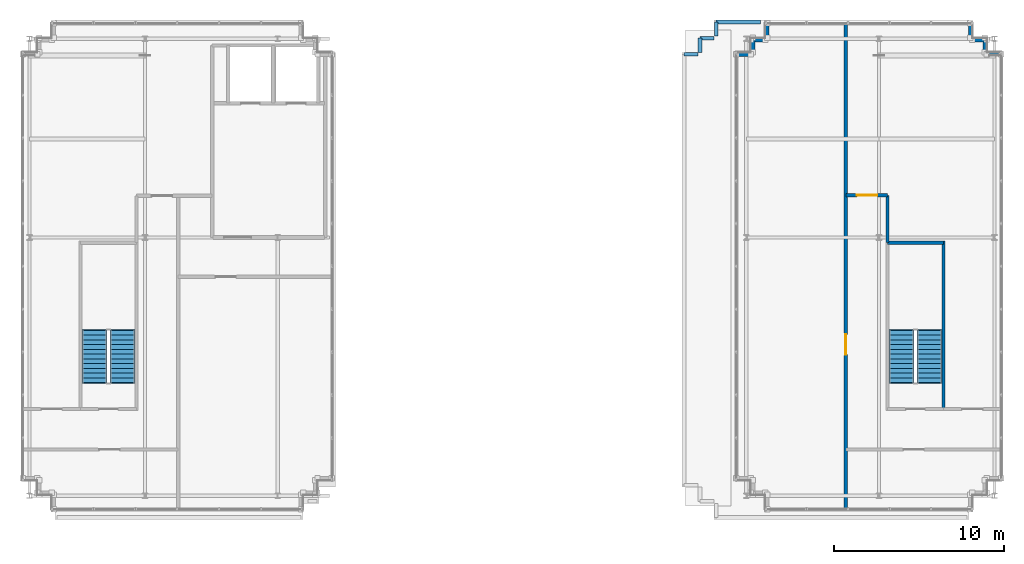
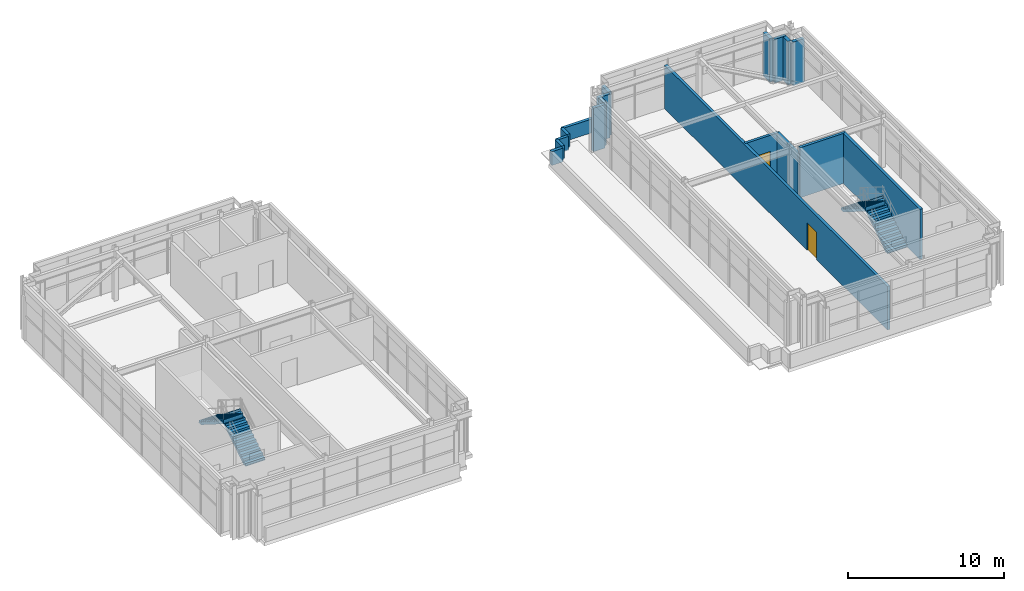
# One storey, part 22 of 25: 18 walls, 4 stair flights, 2 doors, 2 openings, 2 elements without a shape of their own.
"""IFC4 building model written with IfcOpenShell, lengths in metres."""

from ifc_helpers import new_model, si_unit, direction, frame, frame_2d, origin, place, context, subcontext, project, spatial, polyline, rectangle, outline, extrude, source, transform, mapped, material, layer, layer_set, type_object, element, fill, aggregate, save


model = new_model("IFC4")

# Units and contexts
model_context = context("Model", 3, precision=1e-05, world=origin(), true_north=direction((0.0, 1.0)))
body_context = subcontext(model_context, "Body", "Model", "MODEL_VIEW")
ifc_project = project(units=[si_unit("LENGTHUNIT", "METRE"), si_unit("AREAUNIT", "SQUARE_METRE"), si_unit("VOLUMEUNIT", "CUBIC_METRE"), si_unit("PLANEANGLEUNIT", "RADIAN"), si_unit("MASSUNIT", "GRAM", prefix="KILO")], contexts=[model_context])

# Site, building, storey
site_placement = place(None, origin())
site = spatial("IfcSite", under=ifc_project, at=site_placement, CompositionType="ELEMENT")
building_placement = place(site_placement, origin())
building = spatial("IfcBuilding", under=site, at=building_placement, Name="Trelvane Seafront Commons", CompositionType="ELEMENT")
storey_placement = place(building_placement, frame((0.0, 0.0, 316.699951171875)))
storey = spatial("IfcBuildingStorey", under=building, at=storey_placement, Name="L82", CompositionType="ELEMENT", Elevation=316.699951171875)

# Walls
ifc_material_1 = material(Name="Precast concrete C40/50", Category="concrete")
ifc_layer_1 = layer(ifc_material_1, 0.239990234375, Name="ARCH-WALL-EXT240")
ifc_layer_set_1 = layer_set([ifc_layer_1], Name="Precast concrete C40/50")
wall_type_1 = type_object("IfcWallType", Name="ARCH-WALL-EXT240", PredefinedType="SOLIDWALL", material=ifc_layer_set_1)
wall_1_placement = place(storey_placement, frame((50.39990234375, 44.179931640625, 0.0), z_axis=(0.0, 0.0, 1.0), x_axis=(1.0, 0.0, 0.0)))
element("IfcWall", 1, at=wall_1_placement, inside=storey, type_object=wall_type_1, Name="EW-L82-CRN-01765", PredefinedType="SOLIDWALL", context=body_context, shape_type="SweptSolid", body=[
    extrude(rectangle(XDim=0.85009765625, YDim=0.239990234375, at=frame_2d((0.425048828125, 0.0))), origin(), (0.0, 0.0, 1.0), 3.41015625),
])
wall_2_placement = place(storey_placement, frame((51.3701171875, 44.300048828125, 0.0), z_axis=(0.0, 0.0, 1.0), x_axis=(0.0, 1.0, 0.0)))
element("IfcWall", 2, at=wall_2_placement, inside=storey, type_object=wall_type_1, Name="EW-L82-CRN-01766", PredefinedType="SOLIDWALL", context=body_context, shape_type="SweptSolid", body=[
    extrude(rectangle(XDim=0.849853515625, YDim=0.239990234375, at=frame_2d((0.4248046875, 0.0))), origin(), (0.0, 0.0, 1.0), 3.41015625),
])
for number, where, z_axis, x_axis, name in (
    (3, (51.25, 45.030029296875, 0.0), (0.0, 0.0, 1.0), (1.0, 0.0, 0.0), "EW-L82-CRN-01767"),
    (4, (52.219970703125, 45.14990234375, 0.0), (0.0, 0.0, 1.0), (0.0, 1.0, 0.0), "EW-L82-CRN-01768"),
    (5, (64.179931640625, 46.0, 0.0), (0.0, 0.0, 1.0), (0.0, -1.0, 0.0), "EW-L82-CRN-01769"),
):
    element("IfcWall", number, at=place(storey_placement, frame(where, z_axis=z_axis, x_axis=x_axis)), inside=storey, type_object=wall_type_1, Name=name, PredefinedType="SOLIDWALL", context=body_context, shape_type="SweptSolid", body=[
        extrude(rectangle(XDim=0.85009765625, YDim=0.239990234375, at=frame_2d((0.425048828125, 0.0))), origin(), (0.0, 0.0, 1.0), 3.41015625),
    ])
for number, where, z_axis, x_axis, name in (
    (6, (64.300048828125, 45.030029296875, 0.0), (0.0, 0.0, 1.0), (1.0, 0.0, 0.0), "EW-L82-CRN-01770"),
    (7, (65.030029296875, 45.14990234375, 0.0), (0.0, 0.0, 1.0), (0.0, -1.0, 0.0), "EW-L82-CRN-01771"),
):
    element("IfcWall", number, at=place(storey_placement, frame(where, z_axis=z_axis, x_axis=x_axis)), inside=storey, type_object=wall_type_1, Name=name, PredefinedType="SOLIDWALL", context=body_context, shape_type="SweptSolid", body=[
        extrude(rectangle(XDim=0.849853515625, YDim=0.239990234375, at=frame_2d((0.4248046875, 0.0))), origin(), (0.0, 0.0, 1.0), 3.41015625),
    ])
wall_3_placement = place(storey_placement, frame((65.14990234375, 44.179931640625, 0.0), z_axis=(0.0, 0.0, 1.0), x_axis=(1.0, 0.0, 0.0)))
element("IfcWall", 8, at=wall_3_placement, inside=storey, type_object=wall_type_1, Name="EW-L82-CRN-01772", PredefinedType="SOLIDWALL", context=body_context, shape_type="SweptSolid", body=[
    extrude(rectangle(XDim=0.85009765625, YDim=0.239990234375, at=frame_2d((0.425048828125, 0.0))), origin(), (0.0, 0.0, 1.0), 3.41015625),
])

# Wall, opening, door
ifc_material_2 = material(Name="Concrete C40/50", Category="concrete")
ifc_layer_2 = layer(ifc_material_2, 0.199951171875, Name="ARCH-WALL-FIRE200")
ifc_layer_set_2 = layer_set([ifc_layer_2], Name="Concrete C40/50")
wall_type_2 = type_object("IfcWallType", Name="ARCH-WALL-FIRE200", PredefinedType="PARTITIONING", material=ifc_layer_set_2)
wall_4_placement = place(storey_placement, frame((56.85009765625, 17.409912109375, 0.0), z_axis=(0.0, 0.0, 1.0), x_axis=(0.0, 1.0, 0.0)))
wall_4 = element("IfcWall", 9, at=wall_4_placement, inside=storey, type_object=wall_type_2, Name="W-L82-CRNE-W-023", PredefinedType="PARTITIONING", context=body_context, shape_type="SweptSolid", body=[
    extrude(rectangle(XDim=28.580078125, YDim=0.199951171875, at=frame_2d((14.2900390625, 0.0))), origin(), (0.0, 0.0, 1.0), 3.41015625),
])
opening_1_placement = place(wall_4_placement, frame((9.090087890625, 0.0, 0.0)))
opening_1 = element("IfcOpeningElement", 10, at=opening_1_placement, cuts=wall_4, Name="Opening FD-L82-10", PredefinedType="OPENING", context=body_context, shape_type="SweptSolid", body=[
    extrude(rectangle(XDim=1.199951171875, YDim=2.14990234375, at=frame_2d((0.60009765625, 1.074951171875))), frame((0.0, 0.10986328125, 0.0), z_axis=(0.0, -1.0, 0.0), x_axis=(1.0, 0.0, 0.0)), (0.0, 0.0, 1.0), 0.219970703125),
])
ifc_material_3 = material(Name="Powder-coated aluminium frame", Category="aluminium")
door_type = type_object("IfcDoorType", Name="ARCH-DR-FD60-1200", OperationType="NOTDEFINED", PredefinedType="DOOR", material=ifc_material_3)
shared_shape_1 = source(origin(), body_context, "Body", "SweptSolid", [
    extrude(rectangle(XDim=1.199951171875, YDim=2.14990234375, at=frame_2d((0.60009765625, 1.074951171875))), frame((0.0, 0.02490234375, 0.0), z_axis=(0.0, -1.0, 0.0), x_axis=(1.0, 0.0, 0.0)), (0.0, 0.0, 1.0), 0.050048828125),
])
door_1_placement = place(opening_1_placement, origin())
door_1 = element("IfcDoor", 11, at=door_1_placement, inside=storey, type_object=door_type, Name="L82 Break Tank Room Door", OperationType="SINGLE_SWING_RIGHT", OverallHeight=2.14990234375, OverallWidth=1.199951171875, PredefinedType="DOOR", context=body_context, shape_type="MappedRepresentation", body=[
    mapped(shared_shape_1, transform((0.0, 0.0, 0.0), x_axis=(1.0, 0.0, 0.0), y_axis=(0.0, 1.0, 0.0), z_axis=(0.0, 0.0, 1.0), scale=1.0)),
])
fill(opening_1, door_1)

wall_5_placement = place(storey_placement, frame((56.85009765625, 35.8798828125, 0.0), z_axis=(0.0, 0.0, 1.0), x_axis=(1.0, 0.0, 0.0)))
wall_5 = element("IfcWall", 12, at=wall_5_placement, inside=storey, type_object=wall_type_2, Name="W-L82-CRNE-N-026", PredefinedType="PARTITIONING", context=body_context, shape_type="SweptSolid", body=[
    extrude(rectangle(XDim=2.449951171875, YDim=0.199951171875, at=frame_2d((1.22509765625, 0.0))), origin(), (0.0, 0.0, 1.0), 3.41015625),
])
opening_2_placement = place(wall_5_placement, frame((0.64990234375, 0.0, 0.0)))
opening_2 = element("IfcOpeningElement", 13, at=opening_2_placement, cuts=wall_5, Name="Opening FD-L82-13", PredefinedType="OPENING", context=body_context, shape_type="SweptSolid", body=[
    extrude(rectangle(XDim=1.199951171875, YDim=2.14990234375, at=frame_2d((0.60009765625, 1.074951171875))), frame((0.0, 0.10986328125, 0.0), z_axis=(0.0, -1.0, 0.0), x_axis=(1.0, 0.0, 0.0)), (0.0, 0.0, 1.0), 0.219970703125),
])
door_2_placement = place(opening_2_placement, origin())
door_2 = element("IfcDoor", 14, at=door_2_placement, inside=storey, type_object=door_type, Name="L82 BMS Fan Room Door", OperationType="SINGLE_SWING_LEFT", OverallHeight=2.14990234375, OverallWidth=1.199951171875, PredefinedType="DOOR", context=body_context, shape_type="MappedRepresentation", body=[
    mapped(shared_shape_1, transform((0.0, 0.0, 0.0), x_axis=(1.0, 0.0, 0.0), y_axis=(0.0, 1.0, 0.0), z_axis=(0.0, 0.0, 1.0), scale=1.0)),
])
fill(opening_2, door_2)

# Walls
wall_6_placement = place(storey_placement, frame((59.300048828125, 33.10009765625, 0.0), z_axis=(0.0, 0.0, 1.0), x_axis=(0.0, 1.0, 0.0)))
element("IfcWall", 15, at=wall_6_placement, inside=storey, type_object=wall_type_2, Name="W-L82-CRNE-SPE-027", PredefinedType="PARTITIONING", context=body_context, shape_type="SweptSolid", body=[
    extrude(rectangle(XDim=2.77978515625, YDim=0.199951171875, at=frame_2d((1.389892578125, 0.0))), origin(), (0.0, 0.0, 1.0), 3.41015625),
])
ifc_layer_3 = layer(ifc_material_1, 0.219970703125, Name="ARCH-WALL-PARAPET220")
ifc_layer_set_3 = layer_set([ifc_layer_3], Name="Precast concrete C40/50")
wall_type_3 = type_object("IfcWallType", Name="ARCH-WALL-PARAPET220", PredefinedType="PARAPET", material=ifc_layer_set_3)
for number, where, z_axis, x_axis, name in (
    (16, (47.320068359375, 44.179931640625, 0.0), (0.0, 0.0, 1.0), (1.0, 0.0, 0.0), "PAR-L82-1783"),
    (17, (48.27001953125, 44.300048828125, 0.0), (0.0, 0.0, 1.0), (0.0, 1.0, 0.0), "PAR-L82-1784"),
):
    element("IfcWall", number, at=place(storey_placement, frame(where, z_axis=z_axis, x_axis=x_axis)), inside=storey, type_object=wall_type_3, Name=name, PredefinedType="PARAPET", context=body_context, shape_type="SweptSolid", body=[
        extrude(rectangle(XDim=0.829833984375, YDim=0.219970703125, at=frame_2d((0.4150390625, 0.0))), origin(), (0.0, 0.0, 1.0), 1.080078125),
    ])
for number, where, z_axis, x_axis, name in (
    (18, (48.27001953125, 45.1298828125, 0.0), (0.0, 0.0, 1.0), (1.0, 0.0, 0.0), "PAR-L82-1785"),
    (19, (49.219970703125, 45.25, 0.0), (0.0, 0.0, 1.0), (0.0, 1.0, 0.0), "PAR-L82-1786"),
):
    element("IfcWall", number, at=place(storey_placement, frame(where, z_axis=z_axis, x_axis=x_axis)), inside=storey, type_object=wall_type_3, Name=name, PredefinedType="PARAPET", context=body_context, shape_type="SweptSolid", body=[
        extrude(rectangle(XDim=0.830078125, YDim=0.219970703125, at=frame_2d((0.4150390625, 0.0))), origin(), (0.0, 0.0, 1.0), 1.080078125),
    ])
wall_7_placement = place(storey_placement, frame((49.219970703125, 46.080078125, 0.0), z_axis=(0.0, 0.0, 1.0), x_axis=(1.0, 0.0, 0.0)))
element("IfcWall", 20, at=wall_7_placement, inside=storey, type_object=wall_type_3, Name="PAR-L82-1787", PredefinedType="PARAPET", context=body_context, shape_type="SweptSolid", body=[
    extrude(rectangle(XDim=2.61181640625, YDim=0.219970703125, at=frame_2d((1.305908203125, 0.0))), origin(), (0.0, 0.0, 1.0), 1.080078125),
])
ifc_material_4 = material(Name="Concrete C50/60", Category="concrete")
ifc_layer_4 = layer(ifc_material_4, 0.199951171875, Name="STR-WALL-STAIR200")
ifc_layer_set_4 = layer_set([ifc_layer_4], Name="Concrete C50/60")
wall_type_4 = type_object("IfcWallType", Name="STR-WALL-STAIR200", PredefinedType="SHEAR", material=ifc_layer_set_4)
wall_8_placement = place(storey_placement, frame((62.60009765625, 23.199951171875, 0.0), z_axis=(0.0, 0.0, 1.0), x_axis=(0.0, 1.0, 0.0)))
element("IfcWall", 21, at=wall_8_placement, inside=storey, type_object=wall_type_4, Name="W-L82-ST6-E-006", PredefinedType="SHEAR", context=body_context, shape_type="SweptSolid", body=[
    extrude(rectangle(XDim=10.0, YDim=0.199951171875, at=frame_2d((5.0, 0.0))), origin(), (0.0, 0.0, 1.0), 3.91015625),
])
wall_9_placement = place(storey_placement, frame((59.300048828125, 33.10009765625, 0.0), z_axis=(0.0, 0.0, 1.0), x_axis=(1.0, 0.0, 0.0)))
element("IfcWall", 22, at=wall_9_placement, inside=storey, type_object=wall_type_4, Name="W-L82-ST6-N-007", PredefinedType="SHEAR", context=body_context, shape_type="SweptSolid", body=[
    extrude(rectangle(XDim=3.300048828125, YDim=0.199951171875, at=frame_2d((1.64990234375, 0.0))), origin(), (0.0, 0.0, 1.0), 3.91015625),
])

# Stair, stair flights
stair_type_1 = type_object("IfcStairType", Name="ARCH-STR-ST-5-R24-175", PredefinedType="HALF_TURN_STAIR", material=ifc_material_2)
stair_1_placement = place(storey_placement, origin())
stair_1 = element("IfcStair", 23, at=stair_1_placement, inside=storey, type_object=stair_type_1, Name="L82 Crown West Peak Enclosed Maintenance Exit Stair ST-5", PredefinedType="HALF_TURN_STAIR")
stair_flight_type_1 = type_object("IfcStairFlightType", Name="ARCH-FLG-ST-5-R24-175", PredefinedType="STRAIGHT", material=ifc_material_2)
shared_shape_2 = source(origin(), body_context, "Body", "SweptSolid", [
    extrude(outline(polyline([(-0.050048828125, -0.02001953125), (-0.050048828125, 0.0), (0.0, 0.0), (0.0, 0.175048828125), (0.280029296875, 0.175048828125), (0.280029296875, 0.35009765625), (0.56005859375, 0.35009765625), (0.56005859375, 0.52490234375), (0.840087890625, 0.52490234375), (0.840087890625, 0.699951171875), (1.1201171875, 0.699951171875), (1.1201171875, 0.875), (1.39990234375, 0.875), (1.39990234375, 1.050048828125), (1.679931640625, 1.050048828125), (1.679931640625, 1.22509765625), (1.9599609375, 1.22509765625), (1.9599609375, 1.39990234375), (2.239990234375, 1.39990234375), (2.239990234375, 1.574951171875), (2.52001953125, 1.574951171875), (2.52001953125, 1.75), (2.800048828125, 1.75), (2.800048828125, 1.925048828125), (3.080078125, 1.925048828125), (3.080078125, 2.10009765625), (3.1298828125, 2.10009765625), (3.1298828125, 1.9501953125), (3.080078125, 1.748291015625), (0.28271484375, -0.02001953125), (-0.050048828125, -0.02001953125)])), frame((0.0, 0.72509765625, 0.0), z_axis=(0.0, -1.0, 0.0), x_axis=(1.0, 0.0, 0.0)), (0.0, 0.0, 1.0), 1.449951171875),
])
stair_flight_1_placement = place(storey_placement, frame((14.27490234375, 24.85009765625, 0.0), z_axis=(0.0, 0.0, 1.0), x_axis=(0.0, 1.0, 0.0)))
stair_flight_1 = element("IfcStairFlight", 24, at=stair_flight_1_placement, type_object=stair_flight_type_1, Name="ST-5 flight 1", NumberOfRisers=12, NumberOfTreads=11, PredefinedType="STRAIGHT", RiserHeight=0.175, TreadLength=0.28, context=body_context, shape_type="MappedRepresentation", body=[
    mapped(shared_shape_2, transform((0.0, 0.0, 0.0), x_axis=(1.0, 0.0, 0.0), y_axis=(0.0, 1.0, 0.0), z_axis=(0.0, 0.0, 1.0), scale=1.0)),
])
stair_flight_2_placement = place(storey_placement, frame((12.625, 27.929931640625, 2.10009765625), z_axis=(0.0, 0.0, 1.0), x_axis=(0.0, -1.0, 0.0)))
stair_flight_2 = element("IfcStairFlight", 25, at=stair_flight_2_placement, type_object=stair_flight_type_1, Name="ST-5 flight 2", NumberOfRisers=12, NumberOfTreads=11, PredefinedType="STRAIGHT", RiserHeight=0.175, TreadLength=0.28, context=body_context, shape_type="MappedRepresentation", body=[
    mapped(shared_shape_2, transform((0.0, 0.0, 0.0), x_axis=(1.0, 0.0, 0.0), y_axis=(0.0, 1.0, 0.0), z_axis=(0.0, 0.0, 1.0), scale=1.0)),
])
aggregate(stair_1, [stair_flight_1, stair_flight_2])

stair_type_2 = type_object("IfcStairType", Name="ARCH-STR-ST-6-R24-175", PredefinedType="HALF_TURN_STAIR", material=ifc_material_2)
stair_2_placement = place(storey_placement, origin())
stair_2 = element("IfcStair", 26, at=stair_2_placement, inside=storey, type_object=stair_type_2, Name="L82 Crown East Peak Enclosed Maintenance Exit Stair ST-6", PredefinedType="HALF_TURN_STAIR")
stair_flight_type_2 = type_object("IfcStairFlightType", Name="ARCH-FLG-ST-6-R24-175", PredefinedType="STRAIGHT", material=ifc_material_2)
stair_flight_3_placement = place(storey_placement, frame((61.77490234375, 24.85009765625, 0.0), z_axis=(0.0, 0.0, 1.0), x_axis=(0.0, 1.0, 0.0)))
stair_flight_3 = element("IfcStairFlight", 27, at=stair_flight_3_placement, type_object=stair_flight_type_2, Name="ST-6 flight 1", NumberOfRisers=12, NumberOfTreads=11, PredefinedType="STRAIGHT", RiserHeight=0.175, TreadLength=0.28, context=body_context, shape_type="MappedRepresentation", body=[
    mapped(shared_shape_2, transform((0.0, 0.0, 0.0), x_axis=(1.0, 0.0, 0.0), y_axis=(0.0, 1.0, 0.0), z_axis=(0.0, 0.0, 1.0), scale=1.0)),
])
stair_flight_4_placement = place(storey_placement, frame((60.125, 27.929931640625, 2.10009765625), z_axis=(0.0, 0.0, 1.0), x_axis=(0.0, -1.0, 0.0)))
stair_flight_4 = element("IfcStairFlight", 28, at=stair_flight_4_placement, type_object=stair_flight_type_2, Name="ST-6 flight 2", NumberOfRisers=12, NumberOfTreads=11, PredefinedType="STRAIGHT", RiserHeight=0.175, TreadLength=0.28, context=body_context, shape_type="MappedRepresentation", body=[
    mapped(shared_shape_2, transform((0.0, 0.0, 0.0), x_axis=(1.0, 0.0, 0.0), y_axis=(0.0, 1.0, 0.0), z_axis=(0.0, 0.0, 1.0), scale=1.0)),
])
aggregate(stair_2, [stair_flight_3, stair_flight_4])

save(model, "model.ifc")
